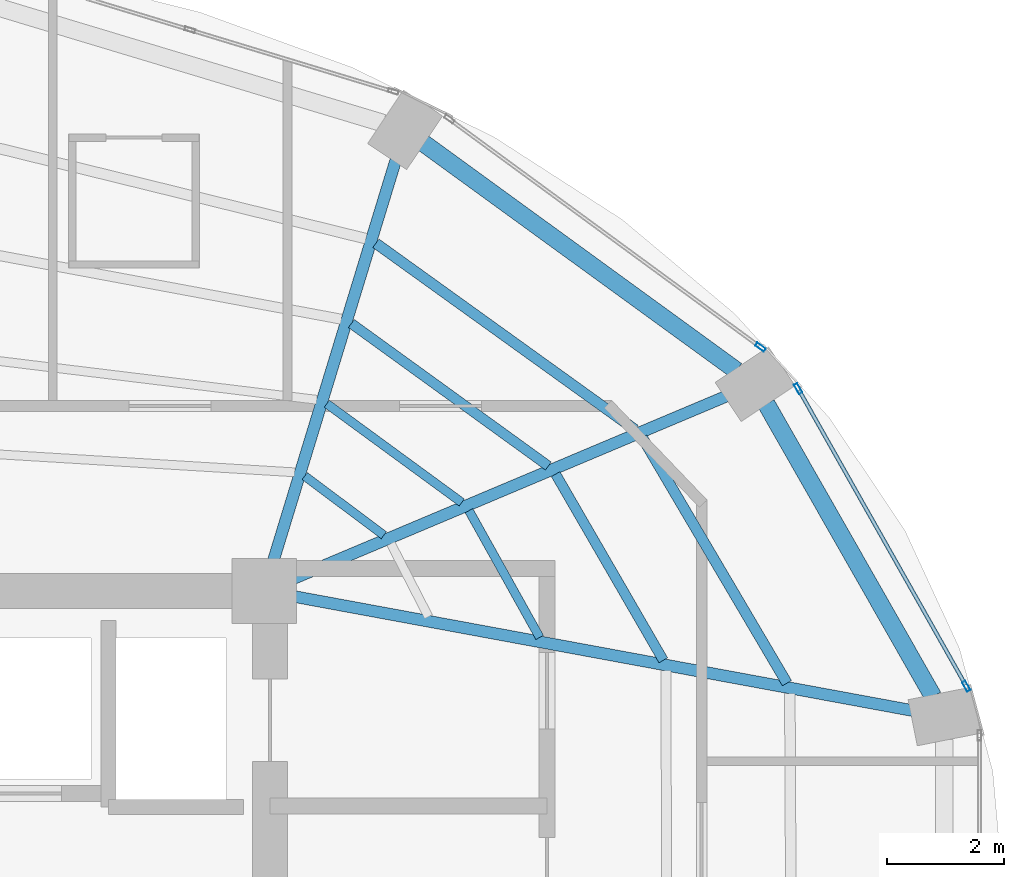
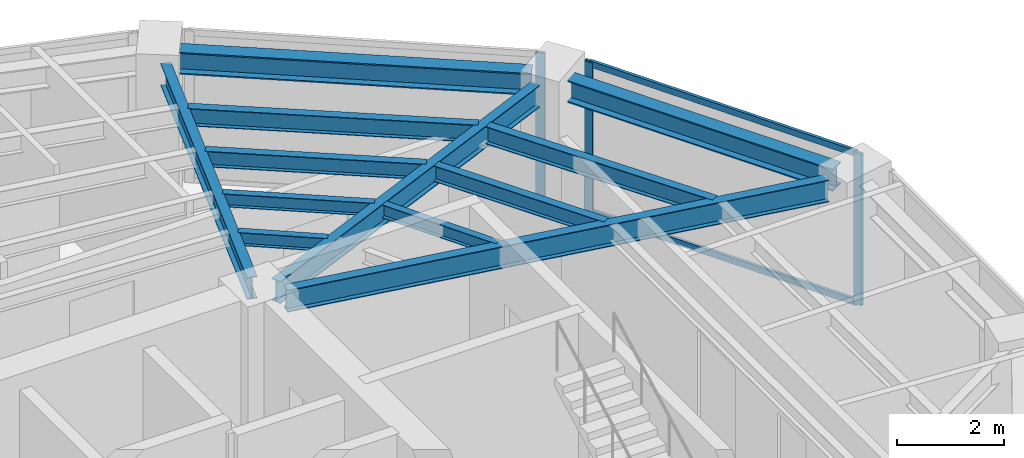
# One storey, part 15 of 23: 12 beams, 5 members, 2 elements without a shape of their own.
"""IFC4 building model written with IfcOpenShell, lengths in metres."""

import ifcopenshell
import ifcopenshell.guid

model = None  # the IFC model being written
_history = None  # IfcOwnerHistory: only IFC2X3 demands one
_inside = {}  # id of a spatial element -> (the spatial element, [elements in it])
_under = {}  # id of a project, library or spatial element -> (it, [spatial elements below it])
_declared = {}  # id of a project -> (the project, [libraries it declares])
_typed = {}  # id of a type object -> (the type object, [elements of that type])
_made_of = {}  # id of a material, layer set ... -> (it, [elements and type objects made of it])


def new_model(schema):
    """Start an empty IFC model of exactly this schema.

    Asked for "IFC4X3", IfcOpenShell would pick the latest addendum, in which some entities
    have other attributes; the version numbers below select the first issue.
    IFC2X3 requires an IfcOwnerHistory on every rooted entity: one is made here for all.
    """
    global model, _history
    if schema == "IFC4X3":
        model = ifcopenshell.file(schema_version=(4, 3, 0, 0))
    else:
        model = ifcopenshell.file(schema=schema)
    _inside.clear()
    _under.clear()
    _declared.clear()
    _typed.clear()
    _made_of.clear()
    _history = None
    if model.schema == "IFC2X3":
        org = make("IfcOrganization", Name="unknown")
        user = make(
            "IfcPersonAndOrganization",
            ThePerson=make("IfcPerson", FamilyName="unknown"),
            TheOrganization=org,
        )
        app = make(
            "IfcApplication",
            ApplicationDeveloper=org,
            Version="unknown",
            ApplicationFullName="unknown",
            ApplicationIdentifier="unknown",
        )
        _history = make(
            "IfcOwnerHistory",
            OwningUser=user,
            OwningApplication=app,
            ChangeAction="ADDED",
            CreationDate=0,
        )
    return model


def make(cls, **values):
    """One entity of the class cls with the attributes given. An attribute that is None is left unset."""
    return model.create_entity(
        cls, **{name: value for name, value in values.items() if value is not None}
    )


def rooted(cls, **values):
    """An entity with a GlobalId (a new one), such as an element, a storey or a relation."""
    return make(cls, GlobalId=ifcopenshell.guid.new(), OwnerHistory=_history, **values)


def si_unit(unit_type, name, prefix=None):
    """IfcSIUnit, for example si_unit("LENGTHUNIT", "METRE", prefix="MILLI")."""
    return make("IfcSIUnit", UnitType=unit_type, Prefix=prefix, Name=name)


def assignment(units):
    """IfcUnitAssignment: the units of a project."""
    return None if units is None else make("IfcUnitAssignment", Units=units)


def point(xyz):
    """IfcCartesianPoint."""
    return None if xyz is None else make("IfcCartesianPoint", Coordinates=xyz)


def direction(xyz):
    """IfcDirection."""
    return None if xyz is None else make("IfcDirection", DirectionRatios=xyz)


def frame(location, z_axis=None, x_axis=None):
    """IfcAxis2Placement3D, a coordinate frame: its origin and axes. An axis left out is left unset."""
    return make(
        "IfcAxis2Placement3D",
        Location=point(location),
        Axis=direction(z_axis),
        RefDirection=direction(x_axis),
    )


def frame_2d(location, x_axis=None):
    """IfcAxis2Placement2D, a coordinate frame in the plane: its origin and x axis."""
    return make(
        "IfcAxis2Placement2D", Location=point(location), RefDirection=direction(x_axis)
    )


def origin():
    """The frame at (0, 0, 0) with its axes left unset."""
    return frame((0.0, 0.0, 0.0))


def origin_2d():
    """The frame at (0, 0) in the plane with its x axis left unset."""
    return frame_2d((0.0, 0.0))


def place(relative_to, where):
    """IfcLocalPlacement: puts the frame where relative to a parent placement (None: the world)."""
    return make(
        "IfcLocalPlacement", PlacementRelTo=relative_to, RelativePlacement=where
    )


def context(
    kind, dimensions, precision=None, world=None, true_north=None, identifier=None
):
    """IfcGeometricRepresentationContext, for example the 3D "Model" context."""
    return make(
        "IfcGeometricRepresentationContext",
        ContextIdentifier=identifier,
        ContextType=kind,
        CoordinateSpaceDimension=dimensions,
        Precision=precision,
        WorldCoordinateSystem=world,
        TrueNorth=true_north,
    )


def subcontext(parent, identifier, kind, view, scale=None):
    """IfcGeometricRepresentationSubContext, for example "Body" below "Model"."""
    return make(
        "IfcGeometricRepresentationSubContext",
        ContextIdentifier=identifier,
        ContextType=kind,
        ParentContext=parent,
        TargetScale=scale,
        TargetView=view,
    )


def project(units=None, contexts=None):
    """IfcProject with its units and contexts."""
    return rooted(
        "IfcProject",
        Name="project",
        RepresentationContexts=contexts,
        UnitsInContext=assignment(units),
    )


def spatial(cls, under=None, at=None, **own):
    """A site, building, storey or space (cls), placed at a placement, below another one or the project."""
    s = rooted(cls, ObjectPlacement=at, **own)
    if under is not None:
        _under.setdefault(under.id(), (under, []))[1].append(s)
    return s


def profile(cls, at=None, kind="AREA", **sizes):
    """A parametric profile (cls). Its sizes go by their IFC names, for example OverallWidth=200.0."""
    return make(cls, ProfileType=kind, Position=at, **sizes)


def hollow_rectangle(**sizes):
    """IfcRectangleHollowProfileDef."""
    return profile("IfcRectangleHollowProfileDef", **sizes)


def i_section(**sizes):
    """IfcIShapeProfileDef."""
    return profile("IfcIShapeProfileDef", **sizes)


def extrude(swept, where, along, depth):
    """IfcExtrudedAreaSolid: the profile swept, set in the frame where, extruded along a direction by depth."""
    return make(
        "IfcExtrudedAreaSolid",
        SweptArea=swept,
        Position=where,
        ExtrudedDirection=direction(along),
        Depth=depth,
    )


def shape(context_of_items, identifier, shape_type, items):
    """IfcShapeRepresentation: the items that make up one representation, for example the "Body"."""
    return make(
        "IfcShapeRepresentation",
        ContextOfItems=context_of_items,
        RepresentationIdentifier=identifier,
        RepresentationType=shape_type,
        Items=items,
    )


def material(Name=None, Category=None):
    """IfcMaterial."""
    return make("IfcMaterial", Name=Name, Category=Category)


def layer(
    of_material, thickness, ventilated=None, Name=None, Category=None, Priority=None
):
    """IfcMaterialLayer: one layer of a wall or slab, of a material (None: an air gap)."""
    return make(
        "IfcMaterialLayer",
        Material=of_material,
        LayerThickness=thickness,
        IsVentilated=ventilated,
        Name=Name,
        Category=Category,
        Priority=Priority,
    )


def layer_set(layers, Name=None):
    """IfcMaterialLayerSet."""
    return make("IfcMaterialLayerSet", MaterialLayers=layers, LayerSetName=Name)


def material_profile(
    of_material, cross_section, Name=None, Category=None, Priority=None
):
    """IfcMaterialProfile: a cross section and its material."""
    return make(
        "IfcMaterialProfile",
        Name=Name,
        Material=of_material,
        Profile=cross_section,
        Priority=Priority,
        Category=Category,
    )


def profile_set(profiles, Name=None, composite=None):
    """IfcMaterialProfileSet."""
    return make(
        "IfcMaterialProfileSet",
        Name=Name,
        MaterialProfiles=profiles,
        CompositeProfile=composite,
    )


def made_of(thing, what):
    """Note that an element or type object is made of a material, layer set ...; save() writes the relation."""
    if what is not None:
        _made_of.setdefault(what.id(), (what, []))[1].append(thing)
    return thing


def type_object(cls, material=None, **own):
    """A type object (cls), such as IfcWallType, which elements share."""
    return made_of(rooted(cls, **own), material)


def element(
    cls,
    number,
    at=None,
    inside=None,
    cuts=None,
    type_object=None,
    material=None,
    context=None,
    identifier="Body",
    shape_type=None,
    held_by="IfcProductDefinitionShape",
    body=None,
    shapes=None,
    **own,
):
    """One element of the class cls, such as IfcWall. Its Tag is "e" and its number.

    at: its placement. inside: the storey or other place that contains it. cuts: it is an
    opening in that element (IfcRelVoidsElement). A single representation is given by context,
    identifier, shape_type and body (its items); several are given by shapes. held_by: the class
    of the entity that holds the representations. save() writes the other relations.
    """
    e = rooted(cls, Tag="e%d" % number, ObjectPlacement=at, **own)
    if body is not None:
        shapes = [shape(context, identifier, shape_type, body)]
    if shapes is not None:
        e.Representation = make(held_by, Representations=shapes)
    if inside is not None:
        _inside.setdefault(inside.id(), (inside, []))[1].append(e)
    if cuts is not None:
        rooted(
            "IfcRelVoidsElement", RelatingBuildingElement=cuts, RelatedOpeningElement=e
        )
    if type_object is not None:
        _typed.setdefault(type_object.id(), (type_object, []))[1].append(e)
    return made_of(e, material)


def aggregate(whole, parts):
    """IfcRelAggregates: a whole, such as a stair, and the parts it consists of."""
    return rooted("IfcRelAggregates", RelatingObject=whole, RelatedObjects=parts)


def save(model, path):
    """Write the relations noted so far, then the file.

    IfcRelAggregates (storeys below a building ...), IfcRelContainedInSpatialStructure (elements
    in a storey), IfcRelDefinesByType, IfcRelAssociatesMaterial and IfcRelDeclares: one each for
    every whole, place, type object, material and project.
    """
    for whole, parts in _under.values():
        aggregate(whole, parts)
    for where, things in _inside.values():
        rooted(
            "IfcRelContainedInSpatialStructure",
            RelatedElements=things,
            RelatingStructure=where,
        )
    for kind, things in _typed.values():
        rooted("IfcRelDefinesByType", RelatedObjects=things, RelatingType=kind)
    for what, things in _made_of.values():
        rooted("IfcRelAssociatesMaterial", RelatedObjects=things, RelatingMaterial=what)
    for by, libraries in _declared.values():
        rooted("IfcRelDeclares", RelatingContext=by, RelatedDefinitions=libraries)
    model.write(path)


model = new_model("IFC4")

# Units and contexts
model_context = context("Model", 3, precision=1e-05, world=origin(), true_north=direction((0.0, 1.0)))
body_context = subcontext(model_context, "Body", "Model", "MODEL_VIEW")
ifc_project = project(units=[si_unit("LENGTHUNIT", "METRE"), si_unit("AREAUNIT", "SQUARE_METRE"), si_unit("VOLUMEUNIT", "CUBIC_METRE"), si_unit("PLANEANGLEUNIT", "RADIAN"), si_unit("MASSUNIT", "GRAM", prefix="KILO")], contexts=[model_context])

# Site, building, storey
site_placement = place(None, origin())
site = spatial("IfcSite", under=ifc_project, at=site_placement, CompositionType="ELEMENT")
building_placement = place(site_placement, origin())
building = spatial("IfcBuilding", under=site, at=building_placement, Name="Lazwardi Medical Tower", CompositionType="ELEMENT")
storey_placement = place(building_placement, frame((0.0, 0.0, 198.47998046875)))
storey = spatial("IfcBuildingStorey", under=building, at=storey_placement, Name="L51", CompositionType="ELEMENT", Elevation=198.47998046875)

# Beams
ifc_material_1 = material(Name="Steel S355", Category="steel")
ifc_material_profile_1 = material_profile(ifc_material_1, i_section(OverallWidth=0.300048828125, OverallDepth=0.5, WebThickness=0.014404296875, FlangeThickness=0.028076171875, at=origin_2d()), Name="HEB 500")
ifc_profile_set_1 = profile_set([ifc_material_profile_1], Name="Steel S355")
beam_type_1 = type_object("IfcBeamType", Name="BM-RB-Z4", PredefinedType="BEAM", material=ifc_profile_set_1)
beam_1_placement = place(storey_placement, frame((56.991943359375, 33.8017578125, 3.197998046875), z_axis=(-0.495125273299, 0.868821594886, 0.0), x_axis=(-0.868821594886, -0.495125273299, 0.0)))
element("IfcBeam", 1, at=beam_1_placement, inside=storey, type_object=beam_type_1, Name="Ring beam RB-05 B05 L51", PredefinedType="BEAM", context=body_context, shape_type="SweptSolid", body=[
    extrude(i_section(OverallWidth=0.300048828125, OverallDepth=0.5, WebThickness=0.014404296875, FlangeThickness=0.028076171875, at=origin_2d()), origin(), (0.0, 0.0, 1.0), 5.734130859375),
])
beam_2_placement = place(storey_placement, frame((53.644287109375, 39.351806640625, 3.197998046875), z_axis=(-0.808889916254, 0.587960120571, 0.0), x_axis=(-0.587960120571, -0.808889916254, 0.0)))
element("IfcBeam", 2, at=beam_2_placement, inside=storey, type_object=beam_type_1, Name="Ring beam RB-05 B06 L51", PredefinedType="BEAM", context=body_context, shape_type="SweptSolid", body=[
    extrude(i_section(OverallWidth=0.300048828125, OverallDepth=0.5, WebThickness=0.014404296875, FlangeThickness=0.028076171875, at=origin_2d()), origin(), (0.0, 0.0, 1.0), 6.587158203125),
])
ifc_material_profile_2 = material_profile(ifc_material_1, i_section(OverallWidth=0.199951171875, OverallDepth=0.5, WebThickness=0.01025390625, FlangeThickness=0.01611328125, at=origin_2d()), Name="IPE 500")
ifc_profile_set_2 = profile_set([ifc_material_profile_2], Name="Steel S355")
beam_type_2 = type_object("IfcBeamType", Name="BM-RG-W3", PredefinedType="BEAM", material=ifc_profile_set_2)
beam_3_placement = place(storey_placement, frame((56.658935546875, 33.56005859375, 3.197998046875), z_axis=(-0.983409341459, 0.181400295288, 0.0), x_axis=(-0.181400295288, -0.983409341459, 0.0)))
element("IfcBeam", 3, at=beam_3_placement, inside=storey, type_object=beam_type_2, Name="Radial girder RG-04 R05 L51", PredefinedType="BEAM", context=body_context, shape_type="SweptSolid", body=[
    extrude(i_section(OverallWidth=0.199951171875, OverallDepth=0.5, WebThickness=0.01025390625, FlangeThickness=0.01611328125, at=origin_2d()), origin(), (0.0, 0.0, 1.0), 10.71044921875),
])
beam_4_placement = place(storey_placement, frame((53.466796875, 38.914794921875, 3.197998046875), z_axis=(-0.921526791352, -0.388314785735, 0.0), x_axis=(0.388314785735, -0.921526791352, 0.0)))
element("IfcBeam", 4, at=beam_4_placement, inside=storey, type_object=beam_type_2, Name="Radial girder RG-04 R06 L51", PredefinedType="BEAM", context=body_context, shape_type="SweptSolid", body=[
    extrude(i_section(OverallWidth=0.199951171875, OverallDepth=0.5, WebThickness=0.01025390625, FlangeThickness=0.01611328125, at=origin_2d()), origin(), (0.0, 0.0, 1.0), 8.001708984375),
])
beam_5_placement = place(storey_placement, frame((47.843994140625, 42.9423828125, 3.197998046875), z_axis=(-0.292276716539, -0.956333791607, 0.0), x_axis=(0.956333791607, -0.292276716539, 0.0)))
element("IfcBeam", 5, at=beam_5_placement, inside=storey, type_object=beam_type_2, Name="Radial girder RG-04 R07 L51", PredefinedType="BEAM", context=body_context, shape_type="SweptSolid", body=[
    extrude(i_section(OverallWidth=0.199951171875, OverallDepth=0.5, WebThickness=0.01025390625, FlangeThickness=0.01611328125, at=origin_2d()), origin(), (0.0, 0.0, 1.0), 7.142822265625),
])
ifc_material_profile_3 = material_profile(ifc_material_1, i_section(OverallWidth=0.179931640625, OverallDepth=0.39990234375, WebThickness=0.008544921875, FlangeThickness=0.013427734375, at=origin_2d()), Name="IPE 400")
ifc_profile_set_3 = profile_set([ifc_material_profile_3], Name="Steel S355")
beam_type_3 = type_object("IfcBeamType", Name="BM-SJ-01", PredefinedType="JOIST", material=ifc_profile_set_3)
beam_6_placement = place(storey_placement, frame((54.504150390625, 34.030517578125, 3.248046875), z_axis=(-0.507710311367, 0.861527851977, 0.0), x_axis=(-0.861527851977, -0.507710311367, 0.0)))
element("IfcBeam", 6, at=beam_6_placement, inside=storey, type_object=beam_type_3, Name="Secondary joist SJ-01 R1 B05 L51", PredefinedType="JOIST", context=body_context, shape_type="SweptSolid", body=[
    extrude(i_section(OverallWidth=0.179931640625, OverallDepth=0.39990234375, WebThickness=0.008544921875, FlangeThickness=0.013427734375, at=origin_2d()), origin(), (0.0, 0.0, 1.0), 4.852783203125),
])
beam_7_placement = place(storey_placement, frame((51.914794921875, 38.348876953125, 3.248046875), z_axis=(-0.811889581337, 0.58381102055, 0.0), x_axis=(-0.58381102055, -0.811889581337, 0.0)))
element("IfcBeam", 7, at=beam_7_placement, inside=storey, type_object=beam_type_3, Name="Secondary joist SJ-01 R1 B06 L51", PredefinedType="JOIST", context=body_context, shape_type="SweptSolid", body=[
    extrude(i_section(OverallWidth=0.179931640625, OverallDepth=0.39990234375, WebThickness=0.008544921875, FlangeThickness=0.013427734375, at=origin_2d()), origin(), (0.0, 0.0, 1.0), 5.433349609375),
])
ifc_material_profile_4 = material_profile(ifc_material_1, i_section(OverallWidth=0.169921875, OverallDepth=0.360107421875, WebThickness=0.008056640625, FlangeThickness=0.0126953125, at=origin_2d()), Name="IPE 360")
ifc_profile_set_4 = profile_set([ifc_material_profile_4], Name="Steel S355")
beam_type_4 = type_object("IfcBeamType", Name="BM-SJ-02", PredefinedType="JOIST", material=ifc_profile_set_4)
beam_8_placement = place(storey_placement, frame((52.398193359375, 34.41943359375, 3.26806640625), z_axis=(-0.500655179543, 0.865646805109, 0.0), x_axis=(-0.865646805109, -0.500655179543, 0.0)))
element("IfcBeam", 8, at=beam_8_placement, inside=storey, type_object=beam_type_4, Name="Secondary joist SJ-02 R2 B05 L51", PredefinedType="JOIST", context=body_context, shape_type="SweptSolid", body=[
    extrude(i_section(OverallWidth=0.169921875, OverallDepth=0.360107421875, WebThickness=0.008056640625, FlangeThickness=0.0126953125, at=origin_2d()), origin(), (0.0, 0.0, 1.0), 3.662109375),
])
beam_9_placement = place(storey_placement, frame((50.440185546875, 37.7275390625, 3.26806640625), z_axis=(-0.810164229155, 0.586202969796, 0.0), x_axis=(-0.586202969796, -0.810164229155, 0.0)))
element("IfcBeam", 9, at=beam_9_placement, inside=storey, type_object=beam_type_4, Name="Secondary joist SJ-02 R2 B06 L51", PredefinedType="JOIST", context=body_context, shape_type="SweptSolid", body=[
    extrude(i_section(OverallWidth=0.169921875, OverallDepth=0.360107421875, WebThickness=0.008056640625, FlangeThickness=0.0126953125, at=origin_2d()), origin(), (0.0, 0.0, 1.0), 4.14013671875),
])
ifc_material_profile_5 = material_profile(ifc_material_1, i_section(OverallWidth=0.14990234375, OverallDepth=0.300048828125, WebThickness=0.007080078125, FlangeThickness=0.0107421875, at=origin_2d()), Name="IPE 300")
ifc_profile_set_5 = profile_set([ifc_material_profile_5], Name="Steel S355")
beam_type_5 = type_object("IfcBeamType", Name="BM-SJ-03", PredefinedType="JOIST", material=ifc_profile_set_5)
beam_10_placement = place(storey_placement, frame((50.29296875, 34.80859375, 3.298095703125), z_axis=(-0.487092942089, 0.873350139272, 0.0), x_axis=(-0.873350139272, -0.487092942089, 0.0)))
element("IfcBeam", 10, at=beam_10_placement, inside=storey, type_object=beam_type_5, Name="Secondary joist SJ-03 R3 B05 L51", PredefinedType="JOIST", context=body_context, shape_type="SweptSolid", body=[
    extrude(i_section(OverallWidth=0.14990234375, OverallDepth=0.300048828125, WebThickness=0.007080078125, FlangeThickness=0.0107421875, at=origin_2d()), origin(), (0.0, 0.0, 1.0), 2.471923828125),
])
beam_11_placement = place(storey_placement, frame((48.9658203125, 37.106689453125, 3.298095703125), z_axis=(-0.80703431267, 0.59050454543, 0.0), x_axis=(-0.59050454543, -0.80703431267, 0.0)))
element("IfcBeam", 11, at=beam_11_placement, inside=storey, type_object=beam_type_5, Name="Secondary joist SJ-03 R3 B06 L51", PredefinedType="JOIST", context=body_context, shape_type="SweptSolid", body=[
    extrude(i_section(OverallWidth=0.14990234375, OverallDepth=0.300048828125, WebThickness=0.007080078125, FlangeThickness=0.0107421875, at=origin_2d()), origin(), (0.0, 0.0, 1.0), 2.846923828125),
])
beam_12_placement = place(storey_placement, frame((47.63916015625, 36.548095703125, 3.298095703125), z_axis=(-0.800365301971, 0.599512621553, 0.0), x_axis=(-0.599512621553, -0.800365301971, 0.0)))
element("IfcBeam", 12, at=beam_12_placement, inside=storey, type_object=beam_type_5, Name="Secondary joist SJ-03 R4 B06 L51", PredefinedType="JOIST", context=body_context, shape_type="SweptSolid", body=[
    extrude(i_section(OverallWidth=0.14990234375, OverallDepth=0.300048828125, WebThickness=0.007080078125, FlangeThickness=0.0107421875, at=origin_2d()), origin(), (0.0, 0.0, 1.0), 1.68359375),
])

# Curtain wall, members
ifc_material_2 = material(Name="Anodised bronze aluminium and solar control glazing", Category="aluminium")
ifc_layer = layer(ifc_material_2, 0.18994140625)
ifc_layer_set = layer_set([ifc_layer], Name="Anodised bronze aluminium and solar control glazing")
curtain_wall_type = type_object("IfcCurtainWallType", Name="CW-SYS-04", PredefinedType="NOTDEFINED", material=ifc_layer_set)
curtain_wall_1_placement = place(storey_placement, origin())
curtain_wall_1 = element("IfcCurtainWall", 13, at=curtain_wall_1_placement, inside=storey, type_object=curtain_wall_type, Name="L51 Unitised bronze curtain wall CW-04", PredefinedType="NOTDEFINED")
ifc_material_3 = material(Name="Anodised bronze aluminium", Category="aluminium")
ifc_material_profile_6 = material_profile(ifc_material_3, hollow_rectangle(XDim=0.06494140625, YDim=0.179931640625, WallThickness=0.00390625, at=origin_2d()), Name="ALU-MULLION 180x65x4")
ifc_profile_set_6 = profile_set([ifc_material_profile_6], Name="Anodised bronze aluminium")
member_type_1 = type_object("IfcMemberType", Name="CW-MUL-03", PredefinedType="MULLION", material=ifc_profile_set_6)
member_1_placement = place(storey_placement, frame((57.557373046875, 33.978271484375, 0.0), z_axis=(0.0, 0.0, 1.0), x_axis=(-0.870651436011, -0.491900474661, 0.0)))
member_1 = element("IfcMember", 14, at=member_1_placement, type_object=member_type_1, Name="CW-04 mullion 1", PredefinedType="MULLION", context=body_context, shape_type="SweptSolid", body=[
    extrude(hollow_rectangle(XDim=0.06494140625, YDim=0.179931640625, WallThickness=0.00390625, at=origin_2d()), origin(), (0.0, 0.0, 1.0), 3.447998046875),
])
member_2_placement = place(storey_placement, frame((54.6943359375, 39.04541015625, 0.0), z_axis=(0.0, 0.0, 1.0), x_axis=(-0.870651436011, -0.491900474661, 0.0)))
member_2 = element("IfcMember", 15, at=member_2_placement, type_object=member_type_1, Name="CW-04 mullion 2", PredefinedType="MULLION", context=body_context, shape_type="SweptSolid", body=[
    extrude(hollow_rectangle(XDim=0.06494140625, YDim=0.179931640625, WallThickness=0.00390625, at=origin_2d()), origin(), (0.0, 0.0, 1.0), 3.447998046875),
])

# Curtain wall, member
curtain_wall_2_placement = place(storey_placement, origin())
curtain_wall_2 = element("IfcCurtainWall", 16, at=curtain_wall_2_placement, inside=storey, type_object=curtain_wall_type, Name="L51 Unitised bronze curtain wall CW-04", PredefinedType="NOTDEFINED")
member_3_placement = place(storey_placement, frame((54.052001953125, 39.751708984375, 0.0), z_axis=(0.0, 0.0, 1.0), x_axis=(-0.591268230971, -0.806474971121, 0.0)))
member_3 = element("IfcMember", 17, at=member_3_placement, type_object=member_type_1, Name="CW-04 mullion 1", PredefinedType="MULLION", context=body_context, shape_type="SweptSolid", body=[
    extrude(hollow_rectangle(XDim=0.06494140625, YDim=0.179931640625, WallThickness=0.00390625, at=origin_2d()), origin(), (0.0, 0.0, 1.0), 3.447998046875),
])
aggregate(curtain_wall_2, [member_3])

# Member
ifc_material_profile_7 = material_profile(ifc_material_3, hollow_rectangle(XDim=0.06494140625, YDim=0.139892578125, WallThickness=0.00341796875, at=origin_2d()), Name="ALU-TRANSOM 140x65x3.5")
ifc_profile_set_7 = profile_set([ifc_material_profile_7], Name="Anodised bronze aluminium")
member_type_2 = type_object("IfcMemberType", Name="CW-TRN-03", PredefinedType="USERDEFINED", material=ifc_profile_set_7)
member_4_placement = place(storey_placement, frame((57.541259765625, 34.006591796875, 0.032470703125), z_axis=(-0.491897887635, 0.870652897623, 0.0), x_axis=(-0.870652897623, -0.491897887635, 0.0)))
member_4 = element("IfcMember", 18, at=member_4_placement, type_object=member_type_2, Name="CW-04 transom 1.1", ObjectType="TRANSOM", PredefinedType="USERDEFINED", context=body_context, shape_type="SweptSolid", body=[
    extrude(hollow_rectangle(XDim=0.06494140625, YDim=0.139892578125, WallThickness=0.00341796875, at=origin_2d()), origin(), (0.0, 0.0, 1.0), 5.7548828125),
])

member_5_placement = place(storey_placement, frame((57.541259765625, 34.006591796875, 3.41552734375), z_axis=(-0.491897887635, 0.870652897623, 0.0), x_axis=(-0.870652897623, -0.491897887635, 0.0)))
member_5 = element("IfcMember", 19, at=member_5_placement, type_object=member_type_2, Name="CW-04 transom 1.2", ObjectType="TRANSOM", PredefinedType="USERDEFINED", context=body_context, shape_type="SweptSolid", body=[
    extrude(hollow_rectangle(XDim=0.06494140625, YDim=0.139892578125, WallThickness=0.00341796875, at=origin_2d()), origin(), (0.0, 0.0, 1.0), 5.7548828125),
])

aggregate(curtain_wall_1, [member_1, member_2, member_4, member_5])

save(model, "model.ifc")
